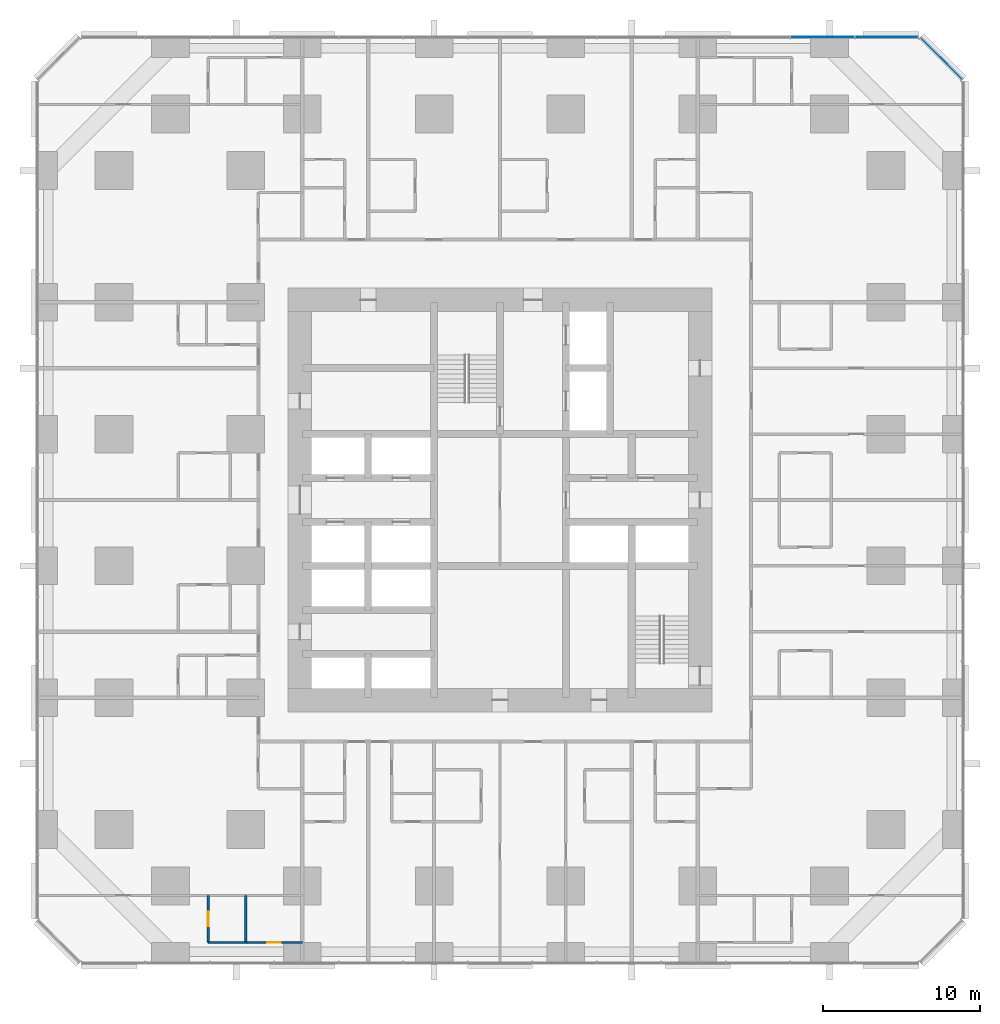
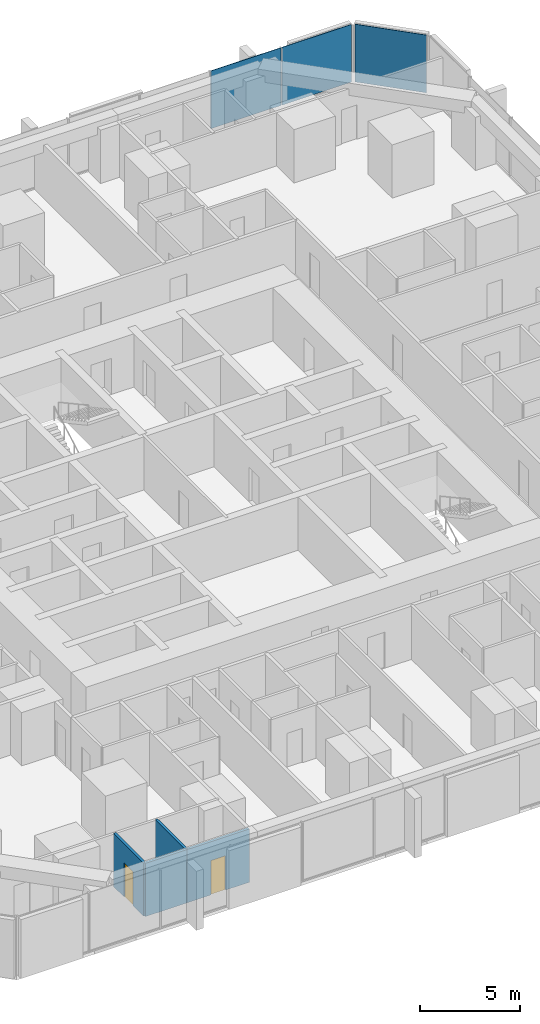
# One storey, part 10 of 17: 4 walls, 3 plates, 2 doors, 2 openings, 2 elements without a shape of their own.
"""IFC4 building model written with IfcOpenShell, lengths in metres."""

from ifc_helpers import new_model, si_unit, direction, frame, frame_2d, origin, origin_2d, place, context, subcontext, project, spatial, rectangle, extrude, material, layer, layer_set, type_object, element, fill, aggregate, save


model = new_model("IFC4")

# Units and contexts
model_context = context("Model", 3, precision=1e-05, world=origin(), true_north=direction((0.0, 1.0)))
body_context = subcontext(model_context, "Body", "Model", "MODEL_VIEW")
ifc_project = project(units=[si_unit("LENGTHUNIT", "METRE"), si_unit("AREAUNIT", "SQUARE_METRE"), si_unit("VOLUMEUNIT", "CUBIC_METRE"), si_unit("PLANEANGLEUNIT", "RADIAN"), si_unit("MASSUNIT", "GRAM", prefix="KILO")], contexts=[model_context])

# Site, building, storey
site_placement = place(None, origin())
site = spatial("IfcSite", under=ifc_project, at=site_placement, CompositionType="ELEMENT")
building_placement = place(site_placement, origin())
building = spatial("IfcBuilding", under=site, at=building_placement, Name="Dunama Terrace Hotel", CompositionType="ELEMENT")
storey_placement = place(building_placement, frame((0.0, 0.0, 81.0)))
storey = spatial("IfcBuildingStorey", under=building, at=storey_placement, Name="L20", CompositionType="ELEMENT", Elevation=81.0)

# Curtain wall, plate
ifc_material_1 = material(Name="Aluminium curtain wall system", Category="aluminium")
curtain_wall_type = type_object("IfcCurtainWallType", Name="Unitised fritted glass wall CW-A", PredefinedType="NOTDEFINED", material=ifc_material_1)
curtain_wall_1_placement = place(storey_placement, origin())
curtain_wall_1 = element("IfcCurtainWall", 1, at=curtain_wall_1_placement, inside=storey, type_object=curtain_wall_type, Name="Unitised fritted glass wall CW-A L20", PredefinedType="NOTDEFINED")
ifc_material_2 = material(Name="Laminated glass", Category="glass")
ifc_layer_1 = layer(ifc_material_2, 0.030029296875)
ifc_layer_set_1 = layer_set([ifc_layer_1], Name="CWA clear glass panel")
plate_type_1 = type_object("IfcPlateType", Name="CWA clear glass panel", PredefinedType="CURTAIN_PANEL", material=ifc_layer_set_1)
plate_1_placement = place(storey_placement, frame((54.030029296875, 58.89990234375, 0.074951171875), z_axis=(0.0, 0.0, 1.0), x_axis=(-1.0, 0.0, 0.0)))
plate_1 = element("IfcPlate", 2, at=plate_1_placement, type_object=plate_type_1, Name="CWA clear glass panel", PredefinedType="CURTAIN_PANEL", context=body_context, shape_type="SweptSolid", body=[
    extrude(rectangle(XDim=4.01025390625, YDim=0.030029296875, at=origin_2d()), origin(), (0.0, 0.0, 1.0), 3.52490234375),
])

curtain_wall_2_placement = place(storey_placement, origin())
curtain_wall_2 = element("IfcCurtainWall", 3, at=curtain_wall_2_placement, inside=storey, type_object=curtain_wall_type, Name="Unitised fritted glass wall CW-A L20", PredefinedType="NOTDEFINED")
ifc_material_3 = material(Name="Fritted laminated glass", Category="glass")
ifc_layer_2 = layer(ifc_material_3, 0.030029296875)
ifc_layer_set_2 = layer_set([ifc_layer_2], Name="CWA fritted glass panel")
plate_type_2 = type_object("IfcPlateType", Name="CWA fritted glass panel", PredefinedType="CURTAIN_PANEL", material=ifc_layer_set_2)
plate_2_placement = place(storey_placement, frame((57.52099609375, 57.52099609375, 0.074951171875), z_axis=(0.0, 0.0, 1.0), x_axis=(-0.707106781187, 0.707106781187, 0.0)))
plate_2 = element("IfcPlate", 4, at=plate_2_placement, type_object=plate_type_2, Name="CWA fritted glass panel", PredefinedType="CURTAIN_PANEL", context=body_context, shape_type="SweptSolid", body=[
    extrude(rectangle(XDim=3.6884765625, YDim=0.030029296875, at=origin_2d()), origin(), (0.0, 0.0, 1.0), 3.52490234375),
])
aggregate(curtain_wall_2, [plate_2])

# Plate
ifc_material_4 = material(Name="Laminated glass", Category="glass")
ifc_layer_3 = layer(ifc_material_4, 0.030029296875)
ifc_layer_set_3 = layer_set([ifc_layer_3], Name="CWA operable glass panel")
plate_type_3 = type_object("IfcPlateType", Name="CWA operable glass panel", PredefinedType="CURTAIN_PANEL", material=ifc_layer_set_3)
plate_3_placement = place(storey_placement, frame((49.93798828125, 58.89990234375, 0.074951171875), z_axis=(0.0, 0.0, 1.0), x_axis=(-1.0, 0.0, 0.0)))
plate_3 = element("IfcPlate", 5, at=plate_3_placement, type_object=plate_type_3, Name="CWA operable glass panel", PredefinedType="CURTAIN_PANEL", context=body_context, shape_type="SweptSolid", body=[
    extrude(rectangle(XDim=4.042724609375, YDim=0.030029296875, at=origin_2d()), origin(), (0.0, 0.0, 1.0), 3.52490234375),
])

aggregate(curtain_wall_1, [plate_1, plate_3])

# Wall, opening, door
ifc_material_5 = material(Name="Gypsum board partition", Category="masonry")
ifc_layer_4 = layer(ifc_material_5, 0.14990234375)
ifc_layer_set_4 = layer_set([ifc_layer_4], Name="Bathroom partition 150")
wall_type_1 = type_object("IfcWallType", Name="Bathroom partition 150", PredefinedType="PARTITIONING", material=ifc_layer_set_4)
wall_1_placement = place(storey_placement, frame((13.199951171875, 1.199951171875, 0.0), z_axis=(0.0, 0.0, 1.0), x_axis=(1.0, 0.0, 0.0)))
wall_1 = element("IfcWall", 6, at=wall_1_placement, inside=storey, type_object=wall_type_1, Name="Bathroom partition 150 L20", PredefinedType="PARTITIONING", context=body_context, shape_type="SweptSolid", body=[
    extrude(rectangle(XDim=3.60009765625, YDim=0.14990234375, at=frame_2d((1.800048828125, 0.0))), origin(), (0.0, 0.0, 1.0), 3.25),
])
opening_1_placement = place(wall_1_placement, frame((1.375, 0.0, 0.0)))
opening_1 = element("IfcOpeningElement", 7, at=opening_1_placement, cuts=wall_1, Name="Opening L20-056", PredefinedType="OPENING", context=body_context, shape_type="SweptSolid", body=[
    extrude(rectangle(XDim=0.85009765625, YDim=2.10009765625, at=frame_2d((0.425048828125, 1.050048828125))), frame((0.0, 0.0849609375, 0.0), z_axis=(0.0, -1.0, 0.0), x_axis=(1.0, 0.0, 0.0)), (0.0, 0.0, 1.0), 0.169921875),
])
ifc_material_6 = material(Name="Timber door with steel frame", Category="steel")
door_type_1 = type_object("IfcDoorType", Name="Bathroom door 850", OperationType="SINGLE_SWING_LEFT", PredefinedType="DOOR", material=ifc_material_6)
door_1_placement = place(opening_1_placement, origin())
door_1 = element("IfcDoor", 8, at=door_1_placement, inside=storey, type_object=door_type_1, Name="Door to en-suite bathroom L20-056, type D2", OperationType="SINGLE_SWING_RIGHT", OverallHeight=2.10009765625, OverallWidth=0.85009765625, PredefinedType="DOOR", context=body_context, shape_type="SweptSolid", body=[
    extrude(rectangle(XDim=0.85009765625, YDim=2.10009765625, at=frame_2d((0.425048828125, 1.050048828125))), frame((0.0, 0.02490234375, 0.0), z_axis=(0.0, -1.0, 0.0), x_axis=(1.0, 0.0, 0.0)), (0.0, 0.0, 1.0), 0.050048828125),
])
fill(opening_1, door_1)

ifc_material_7 = material(Name="Gypsum board partition", Category="masonry")
ifc_layer_5 = layer(ifc_material_7, 0.14990234375)
ifc_layer_set_5 = layer_set([ifc_layer_5], Name="Room partition 150")
wall_type_2 = type_object("IfcWallType", Name="Room partition 150", PredefinedType="PARTITIONING", material=ifc_layer_set_5)
wall_2_placement = place(storey_placement, frame((10.800048828125, 1.199951171875, 0.0), z_axis=(0.0, 0.0, 1.0), x_axis=(0.0, 1.0, 0.0)))
wall_2 = element("IfcWall", 9, at=wall_2_placement, inside=storey, type_object=wall_type_2, Name="Room partition 150 L20", PredefinedType="PARTITIONING", context=body_context, shape_type="SweptSolid", body=[
    extrude(rectangle(XDim=3.0, YDim=0.14990234375, at=frame_2d((1.5, 0.0))), origin(), (0.0, 0.0, 1.0), 3.25),
])
opening_2_placement = place(wall_2_placement, frame((1.050048828125, 0.0, 0.0)))
opening_2 = element("IfcOpeningElement", 10, at=opening_2_placement, cuts=wall_2, Name="Opening L20-057", PredefinedType="OPENING", context=body_context, shape_type="SweptSolid", body=[
    extrude(rectangle(XDim=0.89990234375, YDim=2.10009765625, at=frame_2d((0.449951171875, 1.050048828125))), frame((0.0, 0.0849609375, 0.0), z_axis=(0.0, -1.0, 0.0), x_axis=(1.0, 0.0, 0.0)), (0.0, 0.0, 1.0), 0.169921875),
])
ifc_material_8 = material(Name="Timber door with steel frame", Category="steel")
door_type_2 = type_object("IfcDoorType", Name="Suite internal door 900", OperationType="SINGLE_SWING_LEFT", PredefinedType="DOOR", material=ifc_material_8)
door_2_placement = place(opening_2_placement, frame((0.89990234375, 0.0, 0.0), z_axis=(0.0, 0.0, 1.0), x_axis=(-1.0, 0.0, 0.0)))
door_2 = element("IfcDoor", 11, at=door_2_placement, inside=storey, type_object=door_type_2, Name="Door to dressing room L20-057, type D16", OperationType="SINGLE_SWING_RIGHT", OverallHeight=2.10009765625, OverallWidth=0.89990234375, PredefinedType="DOOR", context=body_context, shape_type="SweptSolid", body=[
    extrude(rectangle(XDim=0.89990234375, YDim=2.10009765625, at=frame_2d((0.449951171875, 1.050048828125))), frame((0.0, 0.025146484375, 0.0), z_axis=(0.0, -1.0, 0.0), x_axis=(1.0, 0.0, 0.0)), (0.0, 0.0, 1.0), 0.050048828125),
])
fill(opening_2, door_2)

# Walls
wall_3_placement = place(storey_placement, frame((13.199951171875, 1.199951171875, 0.0), z_axis=(0.0, 0.0, 1.0), x_axis=(0.0, 1.0, 0.0)))
element("IfcWall", 12, at=wall_3_placement, inside=storey, type_object=wall_type_2, Name="Room partition 150 L20", PredefinedType="PARTITIONING", context=body_context, shape_type="SweptSolid", body=[
    extrude(rectangle(XDim=3.0, YDim=0.14990234375, at=frame_2d((1.5, 0.0))), origin(), (0.0, 0.0, 1.0), 3.25),
])
wall_4_placement = place(storey_placement, frame((10.800048828125, 1.199951171875, 0.0), z_axis=(0.0, 0.0, 1.0), x_axis=(1.0, 0.0, 0.0)))
element("IfcWall", 13, at=wall_4_placement, inside=storey, type_object=wall_type_2, Name="Room partition 150 L20", PredefinedType="PARTITIONING", context=body_context, shape_type="SweptSolid", body=[
    extrude(rectangle(XDim=2.39990234375, YDim=0.14990234375, at=frame_2d((1.199951171875, 0.0))), origin(), (0.0, 0.0, 1.0), 3.25),
])

save(model, "model.ifc")
